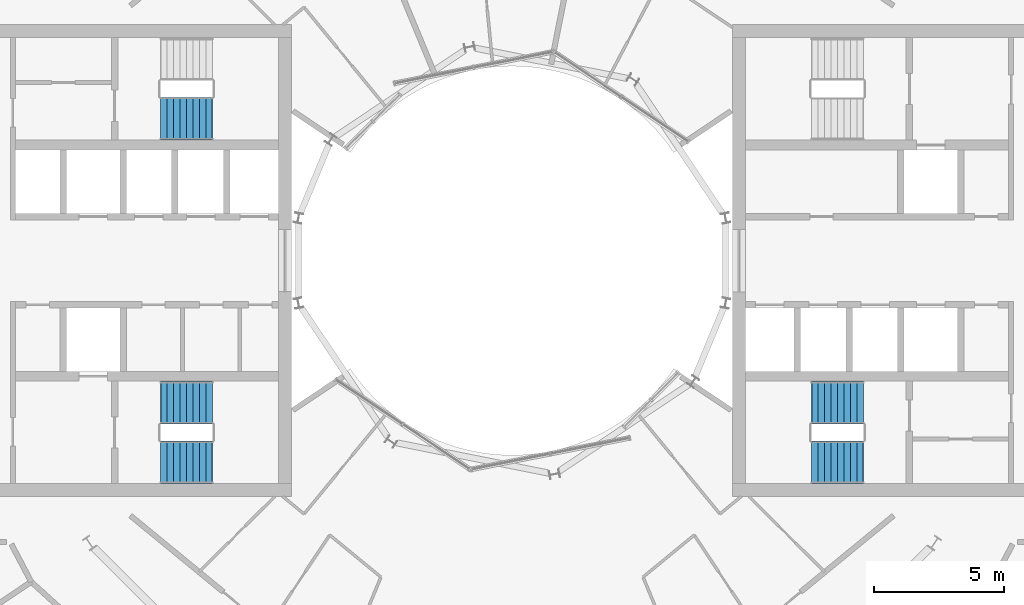
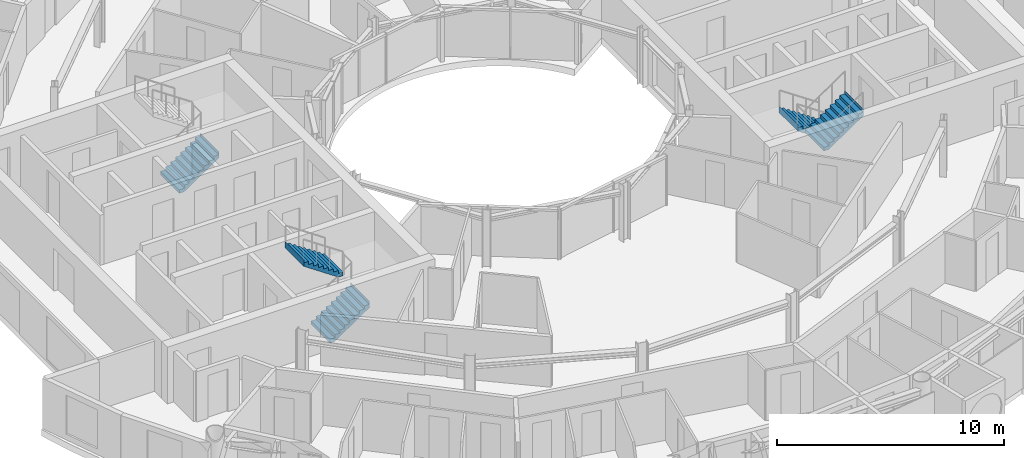
# One storey, part 24 of 27: 5 stair flights, 3 elements without a shape of their own.
"""IFC4 building model written with IfcOpenShell, lengths in metres."""

from ifc_helpers import new_model, si_unit, direction, frame, origin, place, context, subcontext, project, spatial, triangles, material, type_object, element, aggregate, save


model = new_model("IFC4")

# Units and contexts
model_context = context("Model", 3, precision=1e-05, world=origin(), true_north=direction((0.0, 1.0)))
body_context = subcontext(model_context, "Body", "Model", "MODEL_VIEW")
ifc_project = project(units=[si_unit("LENGTHUNIT", "METRE"), si_unit("AREAUNIT", "SQUARE_METRE"), si_unit("VOLUMEUNIT", "CUBIC_METRE"), si_unit("PLANEANGLEUNIT", "RADIAN"), si_unit("MASSUNIT", "GRAM", prefix="KILO")], contexts=[model_context])

# Site, building, storey
site_placement = place(None, origin())
site = spatial("IfcSite", under=ifc_project, at=site_placement, CompositionType="ELEMENT")
building_placement = place(site_placement, origin())
building = spatial("IfcBuilding", under=site, at=building_placement, Name="Maasbend Ring Residences", CompositionType="ELEMENT")
storey_placement = place(building_placement, frame((0.0, 0.0, 145.199951171875)))
storey = spatial("IfcBuildingStorey", under=building, at=storey_placement, Name="L41", CompositionType="ELEMENT", Elevation=145.199951171875)

# Stair, stair flights
ifc_material_1 = material(Name="Concrete C40/50", Category="concrete")
stair_type = type_object("IfcStairType", Name="CORE STAIR 18 RISERS", PredefinedType="HALF_TURN_STAIR", material=ifc_material_1)
stair_1_placement = place(storey_placement, origin())
stair_1 = element("IfcStair", 1, at=stair_1_placement, inside=storey, type_object=stair_type, Name="L41 Exit stair ST-E2", PredefinedType="HALF_TURN_STAIR")
ifc_material_2 = material(Name="Concrete C40/50", Category="concrete")
stair_flight_type = type_object("IfcStairFlightType", Name="CORE STAIR FLIGHT 1650", PredefinedType="STRAIGHT", material=ifc_material_2)
stair_flight_1_placement = place(storey_placement, frame((13.550048828125, -5.47509765625, 0.0), z_axis=(0.0, 0.0, 1.0), x_axis=(-1.0, 0.0, 0.0)))
stair_flight_1 = element("IfcStairFlight", 2, at=stair_flight_1_placement, type_object=stair_flight_type, Name="ST-E2 flight 1", NumberOfRisers=9, NumberOfTreads=8, PredefinedType="STRAIGHT", RiserHeight=0.169444444, TreadLength=0.25, context=body_context, shape_type="Tessellation", body=[
    triangles([(0.24072265625, 0.824951171875, -0.02001953125), (2.0029296875, 0.824951171875, 1.174560546875), (2.0029296875, 0.824951171875, 1.52490234375), (1.989990234375, 0.824951171875, 1.35546875), (1.75, 0.824951171875, 1.35546875), (1.75, 0.824951171875, 1.18603515625), (1.5, 0.824951171875, 1.18603515625), (1.5, 0.824951171875, 1.0166015625), (1.25, 0.824951171875, 1.0166015625), (1.25, 0.824951171875, 0.84716796875), (1.0, 0.824951171875, 0.84716796875), (1.0, 0.824951171875, 0.677734375), (0.75, 0.824951171875, 0.677734375), (0.75, 0.824951171875, 0.50830078125), (0.5, 0.824951171875, 0.50830078125), (0.5, 0.824951171875, 0.3388671875), (0.25, 0.824951171875, 0.3388671875), (0.25, 0.824951171875, 0.16943359375), (0.0, 0.824951171875, 0.16943359375), (0.0, 0.824951171875, 0.0), (-0.0029296875, 0.824951171875, 0.0), (-0.0029296875, 0.824951171875, -0.02001953125), (0.24072265625, 0.27490234375, -0.02001953125), (2.0029296875, 0.27490234375, 1.174560546875), (2.0029296875, 0.27490234375, 1.52490234375), (1.989990234375, 0.27490234375, 1.35546875), (1.75, 0.27490234375, 1.35546875), (1.75, 0.27490234375, 1.18603515625), (1.5, 0.27490234375, 1.18603515625), (1.5, 0.27490234375, 1.0166015625), (1.25, 0.27490234375, 1.0166015625), (1.25, 0.27490234375, 0.84716796875), (1.0, 0.27490234375, 0.84716796875), (1.0, 0.27490234375, 0.677734375), (0.75, 0.27490234375, 0.677734375), (0.75, 0.27490234375, 0.50830078125), (0.5, 0.27490234375, 0.50830078125), (0.5, 0.27490234375, 0.3388671875), (0.25, 0.27490234375, 0.3388671875), (0.25, 0.27490234375, 0.16943359375), (0.0, 0.27490234375, 0.16943359375), (0.0, 0.27490234375, 0.0), (-0.0029296875, 0.27490234375, 0.0), (-0.0029296875, 0.27490234375, -0.02001953125), (0.24072265625, -0.27490234375, -0.02001953125), (2.0029296875, -0.27490234375, 1.174560546875), (2.0029296875, -0.27490234375, 1.52490234375), (1.989990234375, -0.27490234375, 1.35546875), (1.75, -0.27490234375, 1.35546875), (1.75, -0.27490234375, 1.18603515625), (1.5, -0.27490234375, 1.18603515625), (1.5, -0.27490234375, 1.0166015625), (1.25, -0.27490234375, 1.0166015625), (1.25, -0.27490234375, 0.84716796875), (1.0, -0.27490234375, 0.84716796875), (1.0, -0.27490234375, 0.677734375), (0.75, -0.27490234375, 0.677734375), (0.75, -0.27490234375, 0.50830078125), (0.5, -0.27490234375, 0.50830078125), (0.5, -0.27490234375, 0.3388671875), (0.25, -0.27490234375, 0.3388671875), (0.25, -0.27490234375, 0.16943359375), (0.0, -0.27490234375, 0.16943359375), (0.0, -0.27490234375, 0.0), (-0.0029296875, -0.27490234375, 0.0), (-0.0029296875, -0.27490234375, -0.02001953125), (0.24072265625, -0.824951171875, -0.02001953125), (2.0029296875, -0.824951171875, 1.174560546875), (2.0029296875, -0.824951171875, 1.52490234375), (1.989990234375, -0.824951171875, 1.35546875), (1.75, -0.824951171875, 1.35546875), (1.75, -0.824951171875, 1.18603515625), (1.5, -0.824951171875, 1.18603515625), (1.5, -0.824951171875, 1.0166015625), (1.25, -0.824951171875, 1.0166015625), (1.25, -0.824951171875, 0.84716796875), (1.0, -0.824951171875, 0.84716796875), (1.0, -0.824951171875, 0.677734375), (0.75, -0.824951171875, 0.677734375), (0.75, -0.824951171875, 0.50830078125), (0.5, -0.824951171875, 0.50830078125), (0.5, -0.824951171875, 0.3388671875), (0.25, -0.824951171875, 0.3388671875), (0.25, -0.824951171875, 0.16943359375), (0.0, -0.824951171875, 0.16943359375), (0.0, -0.824951171875, 0.0), (-0.0029296875, -0.824951171875, 0.0), (-0.0029296875, -0.824951171875, -0.02001953125)], [[1, 2, 24], [1, 24, 23], [23, 24, 46], [23, 46, 45], [45, 46, 68], [45, 68, 67], [2, 3, 25], [2, 25, 24], [24, 25, 47], [24, 47, 46], [46, 47, 69], [46, 69, 68], [3, 4, 26], [3, 26, 25], [25, 26, 48], [25, 48, 47], [47, 48, 70], [47, 70, 69], [4, 5, 27], [4, 27, 26], [26, 27, 49], [26, 49, 48], [48, 49, 71], [48, 71, 70], [5, 6, 28], [5, 28, 27], [27, 28, 50], [27, 50, 49], [49, 50, 72], [49, 72, 71], [6, 7, 29], [6, 29, 28], [28, 29, 51], [28, 51, 50], [50, 51, 73], [50, 73, 72], [7, 8, 30], [7, 30, 29], [29, 30, 52], [29, 52, 51], [51, 52, 74], [51, 74, 73], [8, 9, 31], [8, 31, 30], [30, 31, 53], [30, 53, 52], [52, 53, 75], [52, 75, 74], [9, 10, 32], [9, 32, 31], [31, 32, 54], [31, 54, 53], [53, 54, 76], [53, 76, 75], [10, 11, 33], [10, 33, 32], [32, 33, 55], [32, 55, 54], [54, 55, 77], [54, 77, 76], [11, 12, 34], [11, 34, 33], [33, 34, 56], [33, 56, 55], [55, 56, 78], [55, 78, 77], [12, 13, 35], [12, 35, 34], [34, 35, 57], [34, 57, 56], [56, 57, 79], [56, 79, 78], [13, 14, 36], [13, 36, 35], [35, 36, 58], [35, 58, 57], [57, 58, 80], [57, 80, 79], [14, 15, 37], [14, 37, 36], [36, 37, 59], [36, 59, 58], [58, 59, 81], [58, 81, 80], [15, 16, 38], [15, 38, 37], [37, 38, 60], [37, 60, 59], [59, 60, 82], [59, 82, 81], [16, 17, 39], [16, 39, 38], [38, 39, 61], [38, 61, 60], [60, 61, 83], [60, 83, 82], [17, 18, 40], [17, 40, 39], [39, 40, 62], [39, 62, 61], [61, 62, 84], [61, 84, 83], [18, 19, 41], [18, 41, 40], [40, 41, 63], [40, 63, 62], [62, 63, 85], [62, 85, 84], [19, 20, 42], [19, 42, 41], [41, 42, 64], [41, 64, 63], [63, 64, 86], [63, 86, 85], [20, 21, 43], [20, 43, 42], [42, 43, 65], [42, 65, 64], [64, 65, 87], [64, 87, 86], [21, 22, 44], [21, 44, 43], [43, 44, 66], [43, 66, 65], [65, 66, 88], [65, 88, 87], [22, 1, 23], [22, 23, 44], [44, 23, 45], [44, 45, 66], [66, 45, 67], [66, 67, 88], [22, 2, 1], [2, 4, 3], [2, 5, 4], [2, 6, 5], [22, 6, 2], [6, 8, 7], [22, 8, 6], [8, 10, 9], [22, 10, 8], [10, 12, 11], [22, 12, 10], [12, 14, 13], [22, 14, 12], [14, 16, 15], [22, 16, 14], [16, 18, 17], [22, 18, 16], [18, 20, 19], [22, 20, 18], [20, 22, 21], [88, 67, 68], [68, 69, 70], [68, 70, 71], [68, 71, 72], [88, 68, 72], [72, 73, 74], [88, 72, 74], [74, 75, 76], [88, 74, 76], [76, 77, 78], [88, 76, 78], [78, 79, 80], [88, 78, 80], [80, 81, 82], [88, 80, 82], [82, 83, 84], [88, 82, 84], [84, 85, 86], [88, 84, 86], [86, 87, 88]], closed=True),
])
stair_flight_2_placement = place(storey_placement, frame((11.550048828125, -7.77490234375, 1.525146484375), z_axis=(0.0, 0.0, 1.0), x_axis=(1.0, 0.0, 0.0)))
stair_flight_2 = element("IfcStairFlight", 3, at=stair_flight_2_placement, type_object=stair_flight_type, Name="ST-E2 flight 2", NumberOfRisers=9, NumberOfTreads=8, PredefinedType="STRAIGHT", RiserHeight=0.169444444, TreadLength=0.25, context=body_context, shape_type="Tessellation", body=[
    triangles([(0.24072265625, 0.824951171875, -0.02001953125), (2.0029296875, 0.824951171875, 1.174560546875), (2.0029296875, 0.824951171875, 1.52490234375), (1.989990234375, 0.824951171875, 1.35546875), (1.75, 0.824951171875, 1.35546875), (1.75, 0.824951171875, 1.18603515625), (1.5, 0.824951171875, 1.18603515625), (1.5, 0.824951171875, 1.0166015625), (1.25, 0.824951171875, 1.0166015625), (1.25, 0.824951171875, 0.84716796875), (1.0, 0.824951171875, 0.84716796875), (1.0, 0.824951171875, 0.677734375), (0.75, 0.824951171875, 0.677734375), (0.75, 0.824951171875, 0.50830078125), (0.5, 0.824951171875, 0.50830078125), (0.5, 0.824951171875, 0.3388671875), (0.25, 0.824951171875, 0.3388671875), (0.25, 0.824951171875, 0.16943359375), (0.0, 0.824951171875, 0.16943359375), (0.0, 0.824951171875, 0.0), (-0.0029296875, 0.824951171875, 0.0), (-0.0029296875, 0.824951171875, -0.02001953125), (0.24072265625, 0.27490234375, -0.02001953125), (2.0029296875, 0.27490234375, 1.174560546875), (2.0029296875, 0.27490234375, 1.52490234375), (1.989990234375, 0.27490234375, 1.35546875), (1.75, 0.27490234375, 1.35546875), (1.75, 0.27490234375, 1.18603515625), (1.5, 0.27490234375, 1.18603515625), (1.5, 0.27490234375, 1.0166015625), (1.25, 0.27490234375, 1.0166015625), (1.25, 0.27490234375, 0.84716796875), (1.0, 0.27490234375, 0.84716796875), (1.0, 0.27490234375, 0.677734375), (0.75, 0.27490234375, 0.677734375), (0.75, 0.27490234375, 0.50830078125), (0.5, 0.27490234375, 0.50830078125), (0.5, 0.27490234375, 0.3388671875), (0.25, 0.27490234375, 0.3388671875), (0.25, 0.27490234375, 0.16943359375), (0.0, 0.27490234375, 0.16943359375), (0.0, 0.27490234375, 0.0), (-0.0029296875, 0.27490234375, 0.0), (-0.0029296875, 0.27490234375, -0.02001953125), (0.24072265625, -0.27490234375, -0.02001953125), (2.0029296875, -0.27490234375, 1.174560546875), (2.0029296875, -0.27490234375, 1.52490234375), (1.989990234375, -0.27490234375, 1.35546875), (1.75, -0.27490234375, 1.35546875), (1.75, -0.27490234375, 1.18603515625), (1.5, -0.27490234375, 1.18603515625), (1.5, -0.27490234375, 1.0166015625), (1.25, -0.27490234375, 1.0166015625), (1.25, -0.27490234375, 0.84716796875), (1.0, -0.27490234375, 0.84716796875), (1.0, -0.27490234375, 0.677734375), (0.75, -0.27490234375, 0.677734375), (0.75, -0.27490234375, 0.50830078125), (0.5, -0.27490234375, 0.50830078125), (0.5, -0.27490234375, 0.3388671875), (0.25, -0.27490234375, 0.3388671875), (0.25, -0.27490234375, 0.16943359375), (0.0, -0.27490234375, 0.16943359375), (0.0, -0.27490234375, 0.0), (-0.0029296875, -0.27490234375, 0.0), (-0.0029296875, -0.27490234375, -0.02001953125), (0.24072265625, -0.824951171875, -0.02001953125), (2.0029296875, -0.824951171875, 1.174560546875), (2.0029296875, -0.824951171875, 1.52490234375), (1.989990234375, -0.824951171875, 1.35546875), (1.75, -0.824951171875, 1.35546875), (1.75, -0.824951171875, 1.18603515625), (1.5, -0.824951171875, 1.18603515625), (1.5, -0.824951171875, 1.0166015625), (1.25, -0.824951171875, 1.0166015625), (1.25, -0.824951171875, 0.84716796875), (1.0, -0.824951171875, 0.84716796875), (1.0, -0.824951171875, 0.677734375), (0.75, -0.824951171875, 0.677734375), (0.75, -0.824951171875, 0.50830078125), (0.5, -0.824951171875, 0.50830078125), (0.5, -0.824951171875, 0.3388671875), (0.25, -0.824951171875, 0.3388671875), (0.25, -0.824951171875, 0.16943359375), (0.0, -0.824951171875, 0.16943359375), (0.0, -0.824951171875, 0.0), (-0.0029296875, -0.824951171875, 0.0), (-0.0029296875, -0.824951171875, -0.02001953125)], [[1, 2, 24], [1, 24, 23], [23, 24, 46], [23, 46, 45], [45, 46, 68], [45, 68, 67], [2, 3, 25], [2, 25, 24], [24, 25, 47], [24, 47, 46], [46, 47, 69], [46, 69, 68], [3, 4, 26], [3, 26, 25], [25, 26, 48], [25, 48, 47], [47, 48, 70], [47, 70, 69], [4, 5, 27], [4, 27, 26], [26, 27, 49], [26, 49, 48], [48, 49, 71], [48, 71, 70], [5, 6, 28], [5, 28, 27], [27, 28, 50], [27, 50, 49], [49, 50, 72], [49, 72, 71], [6, 7, 29], [6, 29, 28], [28, 29, 51], [28, 51, 50], [50, 51, 73], [50, 73, 72], [7, 8, 30], [7, 30, 29], [29, 30, 52], [29, 52, 51], [51, 52, 74], [51, 74, 73], [8, 9, 31], [8, 31, 30], [30, 31, 53], [30, 53, 52], [52, 53, 75], [52, 75, 74], [9, 10, 32], [9, 32, 31], [31, 32, 54], [31, 54, 53], [53, 54, 76], [53, 76, 75], [10, 11, 33], [10, 33, 32], [32, 33, 55], [32, 55, 54], [54, 55, 77], [54, 77, 76], [11, 12, 34], [11, 34, 33], [33, 34, 56], [33, 56, 55], [55, 56, 78], [55, 78, 77], [12, 13, 35], [12, 35, 34], [34, 35, 57], [34, 57, 56], [56, 57, 79], [56, 79, 78], [13, 14, 36], [13, 36, 35], [35, 36, 58], [35, 58, 57], [57, 58, 80], [57, 80, 79], [14, 15, 37], [14, 37, 36], [36, 37, 59], [36, 59, 58], [58, 59, 81], [58, 81, 80], [15, 16, 38], [15, 38, 37], [37, 38, 60], [37, 60, 59], [59, 60, 82], [59, 82, 81], [16, 17, 39], [16, 39, 38], [38, 39, 61], [38, 61, 60], [60, 61, 83], [60, 83, 82], [17, 18, 40], [17, 40, 39], [39, 40, 62], [39, 62, 61], [61, 62, 84], [61, 84, 83], [18, 19, 41], [18, 41, 40], [40, 41, 63], [40, 63, 62], [62, 63, 85], [62, 85, 84], [19, 20, 42], [19, 42, 41], [41, 42, 64], [41, 64, 63], [63, 64, 86], [63, 86, 85], [20, 21, 43], [20, 43, 42], [42, 43, 65], [42, 65, 64], [64, 65, 87], [64, 87, 86], [21, 22, 44], [21, 44, 43], [43, 44, 66], [43, 66, 65], [65, 66, 88], [65, 88, 87], [22, 1, 23], [22, 23, 44], [44, 23, 45], [44, 45, 66], [66, 45, 67], [66, 67, 88], [22, 2, 1], [2, 4, 3], [2, 5, 4], [2, 6, 5], [22, 6, 2], [6, 8, 7], [22, 8, 6], [8, 10, 9], [22, 10, 8], [10, 12, 11], [22, 12, 10], [12, 14, 13], [22, 14, 12], [14, 16, 15], [22, 16, 14], [16, 18, 17], [22, 18, 16], [18, 20, 19], [22, 20, 18], [20, 22, 21], [88, 67, 68], [68, 69, 70], [68, 70, 71], [68, 71, 72], [88, 68, 72], [72, 73, 74], [88, 72, 74], [74, 75, 76], [88, 74, 76], [76, 77, 78], [88, 76, 78], [78, 79, 80], [88, 78, 80], [80, 81, 82], [88, 80, 82], [82, 83, 84], [88, 82, 84], [84, 85, 86], [88, 84, 86], [86, 87, 88]], closed=True),
])
aggregate(stair_1, [stair_flight_1, stair_flight_2])

stair_2_placement = place(storey_placement, origin())
stair_2 = element("IfcStair", 4, at=stair_2_placement, inside=storey, type_object=stair_type, Name="L41 Exit stair ST-W1", PredefinedType="HALF_TURN_STAIR")
stair_flight_3_placement = place(storey_placement, frame((-13.550048828125, -7.77490234375, 0.0), z_axis=(0.0, 0.0, 1.0), x_axis=(1.0, 0.0, 0.0)))
stair_flight_3 = element("IfcStairFlight", 5, at=stair_flight_3_placement, type_object=stair_flight_type, Name="ST-W1 flight 1", NumberOfRisers=9, NumberOfTreads=8, PredefinedType="STRAIGHT", RiserHeight=0.169444444, TreadLength=0.25, context=body_context, shape_type="Tessellation", body=[
    triangles([(0.24072265625, 0.824951171875, -0.02001953125), (2.0029296875, 0.824951171875, 1.174560546875), (2.0029296875, 0.824951171875, 1.52490234375), (1.989990234375, 0.824951171875, 1.35546875), (1.75, 0.824951171875, 1.35546875), (1.75, 0.824951171875, 1.18603515625), (1.5, 0.824951171875, 1.18603515625), (1.5, 0.824951171875, 1.0166015625), (1.25, 0.824951171875, 1.0166015625), (1.25, 0.824951171875, 0.84716796875), (1.0, 0.824951171875, 0.84716796875), (1.0, 0.824951171875, 0.677734375), (0.75, 0.824951171875, 0.677734375), (0.75, 0.824951171875, 0.50830078125), (0.5, 0.824951171875, 0.50830078125), (0.5, 0.824951171875, 0.3388671875), (0.25, 0.824951171875, 0.3388671875), (0.25, 0.824951171875, 0.16943359375), (0.0, 0.824951171875, 0.16943359375), (0.0, 0.824951171875, 0.0), (-0.0029296875, 0.824951171875, 0.0), (-0.0029296875, 0.824951171875, -0.02001953125), (0.24072265625, 0.27490234375, -0.02001953125), (2.0029296875, 0.27490234375, 1.174560546875), (2.0029296875, 0.27490234375, 1.52490234375), (1.989990234375, 0.27490234375, 1.35546875), (1.75, 0.27490234375, 1.35546875), (1.75, 0.27490234375, 1.18603515625), (1.5, 0.27490234375, 1.18603515625), (1.5, 0.27490234375, 1.0166015625), (1.25, 0.27490234375, 1.0166015625), (1.25, 0.27490234375, 0.84716796875), (1.0, 0.27490234375, 0.84716796875), (1.0, 0.27490234375, 0.677734375), (0.75, 0.27490234375, 0.677734375), (0.75, 0.27490234375, 0.50830078125), (0.5, 0.27490234375, 0.50830078125), (0.5, 0.27490234375, 0.3388671875), (0.25, 0.27490234375, 0.3388671875), (0.25, 0.27490234375, 0.16943359375), (0.0, 0.27490234375, 0.16943359375), (0.0, 0.27490234375, 0.0), (-0.0029296875, 0.27490234375, 0.0), (-0.0029296875, 0.27490234375, -0.02001953125), (0.24072265625, -0.27490234375, -0.02001953125), (2.0029296875, -0.27490234375, 1.174560546875), (2.0029296875, -0.27490234375, 1.52490234375), (1.989990234375, -0.27490234375, 1.35546875), (1.75, -0.27490234375, 1.35546875), (1.75, -0.27490234375, 1.18603515625), (1.5, -0.27490234375, 1.18603515625), (1.5, -0.27490234375, 1.0166015625), (1.25, -0.27490234375, 1.0166015625), (1.25, -0.27490234375, 0.84716796875), (1.0, -0.27490234375, 0.84716796875), (1.0, -0.27490234375, 0.677734375), (0.75, -0.27490234375, 0.677734375), (0.75, -0.27490234375, 0.50830078125), (0.5, -0.27490234375, 0.50830078125), (0.5, -0.27490234375, 0.3388671875), (0.25, -0.27490234375, 0.3388671875), (0.25, -0.27490234375, 0.16943359375), (0.0, -0.27490234375, 0.16943359375), (0.0, -0.27490234375, 0.0), (-0.0029296875, -0.27490234375, 0.0), (-0.0029296875, -0.27490234375, -0.02001953125), (0.24072265625, -0.824951171875, -0.02001953125), (2.0029296875, -0.824951171875, 1.174560546875), (2.0029296875, -0.824951171875, 1.52490234375), (1.989990234375, -0.824951171875, 1.35546875), (1.75, -0.824951171875, 1.35546875), (1.75, -0.824951171875, 1.18603515625), (1.5, -0.824951171875, 1.18603515625), (1.5, -0.824951171875, 1.0166015625), (1.25, -0.824951171875, 1.0166015625), (1.25, -0.824951171875, 0.84716796875), (1.0, -0.824951171875, 0.84716796875), (1.0, -0.824951171875, 0.677734375), (0.75, -0.824951171875, 0.677734375), (0.75, -0.824951171875, 0.50830078125), (0.5, -0.824951171875, 0.50830078125), (0.5, -0.824951171875, 0.3388671875), (0.25, -0.824951171875, 0.3388671875), (0.25, -0.824951171875, 0.16943359375), (0.0, -0.824951171875, 0.16943359375), (0.0, -0.824951171875, 0.0), (-0.0029296875, -0.824951171875, 0.0), (-0.0029296875, -0.824951171875, -0.02001953125)], [[1, 2, 24], [1, 24, 23], [23, 24, 46], [23, 46, 45], [45, 46, 68], [45, 68, 67], [2, 3, 25], [2, 25, 24], [24, 25, 47], [24, 47, 46], [46, 47, 69], [46, 69, 68], [3, 4, 26], [3, 26, 25], [25, 26, 48], [25, 48, 47], [47, 48, 70], [47, 70, 69], [4, 5, 27], [4, 27, 26], [26, 27, 49], [26, 49, 48], [48, 49, 71], [48, 71, 70], [5, 6, 28], [5, 28, 27], [27, 28, 50], [27, 50, 49], [49, 50, 72], [49, 72, 71], [6, 7, 29], [6, 29, 28], [28, 29, 51], [28, 51, 50], [50, 51, 73], [50, 73, 72], [7, 8, 30], [7, 30, 29], [29, 30, 52], [29, 52, 51], [51, 52, 74], [51, 74, 73], [8, 9, 31], [8, 31, 30], [30, 31, 53], [30, 53, 52], [52, 53, 75], [52, 75, 74], [9, 10, 32], [9, 32, 31], [31, 32, 54], [31, 54, 53], [53, 54, 76], [53, 76, 75], [10, 11, 33], [10, 33, 32], [32, 33, 55], [32, 55, 54], [54, 55, 77], [54, 77, 76], [11, 12, 34], [11, 34, 33], [33, 34, 56], [33, 56, 55], [55, 56, 78], [55, 78, 77], [12, 13, 35], [12, 35, 34], [34, 35, 57], [34, 57, 56], [56, 57, 79], [56, 79, 78], [13, 14, 36], [13, 36, 35], [35, 36, 58], [35, 58, 57], [57, 58, 80], [57, 80, 79], [14, 15, 37], [14, 37, 36], [36, 37, 59], [36, 59, 58], [58, 59, 81], [58, 81, 80], [15, 16, 38], [15, 38, 37], [37, 38, 60], [37, 60, 59], [59, 60, 82], [59, 82, 81], [16, 17, 39], [16, 39, 38], [38, 39, 61], [38, 61, 60], [60, 61, 83], [60, 83, 82], [17, 18, 40], [17, 40, 39], [39, 40, 62], [39, 62, 61], [61, 62, 84], [61, 84, 83], [18, 19, 41], [18, 41, 40], [40, 41, 63], [40, 63, 62], [62, 63, 85], [62, 85, 84], [19, 20, 42], [19, 42, 41], [41, 42, 64], [41, 64, 63], [63, 64, 86], [63, 86, 85], [20, 21, 43], [20, 43, 42], [42, 43, 65], [42, 65, 64], [64, 65, 87], [64, 87, 86], [21, 22, 44], [21, 44, 43], [43, 44, 66], [43, 66, 65], [65, 66, 88], [65, 88, 87], [22, 1, 23], [22, 23, 44], [44, 23, 45], [44, 45, 66], [66, 45, 67], [66, 67, 88], [22, 2, 1], [2, 4, 3], [2, 5, 4], [2, 6, 5], [22, 6, 2], [6, 8, 7], [22, 8, 6], [8, 10, 9], [22, 10, 8], [10, 12, 11], [22, 12, 10], [12, 14, 13], [22, 14, 12], [14, 16, 15], [22, 16, 14], [16, 18, 17], [22, 18, 16], [18, 20, 19], [22, 20, 18], [20, 22, 21], [88, 67, 68], [68, 69, 70], [68, 70, 71], [68, 71, 72], [88, 68, 72], [72, 73, 74], [88, 72, 74], [74, 75, 76], [88, 74, 76], [76, 77, 78], [88, 76, 78], [78, 79, 80], [88, 78, 80], [80, 81, 82], [88, 80, 82], [82, 83, 84], [88, 82, 84], [84, 85, 86], [88, 84, 86], [86, 87, 88]], closed=True),
])
stair_flight_4_placement = place(storey_placement, frame((-11.550048828125, -5.47509765625, 1.525146484375), z_axis=(0.0, 0.0, 1.0), x_axis=(-1.0, 0.0, 0.0)))
stair_flight_4 = element("IfcStairFlight", 6, at=stair_flight_4_placement, type_object=stair_flight_type, Name="ST-W1 flight 2", NumberOfRisers=9, NumberOfTreads=8, PredefinedType="STRAIGHT", RiserHeight=0.169444444, TreadLength=0.25, context=body_context, shape_type="Tessellation", body=[
    triangles([(0.24072265625, 0.824951171875, -0.02001953125), (2.0029296875, 0.824951171875, 1.174560546875), (2.0029296875, 0.824951171875, 1.52490234375), (1.989990234375, 0.824951171875, 1.35546875), (1.75, 0.824951171875, 1.35546875), (1.75, 0.824951171875, 1.18603515625), (1.5, 0.824951171875, 1.18603515625), (1.5, 0.824951171875, 1.0166015625), (1.25, 0.824951171875, 1.0166015625), (1.25, 0.824951171875, 0.84716796875), (1.0, 0.824951171875, 0.84716796875), (1.0, 0.824951171875, 0.677734375), (0.75, 0.824951171875, 0.677734375), (0.75, 0.824951171875, 0.50830078125), (0.5, 0.824951171875, 0.50830078125), (0.5, 0.824951171875, 0.3388671875), (0.25, 0.824951171875, 0.3388671875), (0.25, 0.824951171875, 0.16943359375), (0.0, 0.824951171875, 0.16943359375), (0.0, 0.824951171875, 0.0), (-0.0029296875, 0.824951171875, 0.0), (-0.0029296875, 0.824951171875, -0.02001953125), (0.24072265625, 0.27490234375, -0.02001953125), (2.0029296875, 0.27490234375, 1.174560546875), (2.0029296875, 0.27490234375, 1.52490234375), (1.989990234375, 0.27490234375, 1.35546875), (1.75, 0.27490234375, 1.35546875), (1.75, 0.27490234375, 1.18603515625), (1.5, 0.27490234375, 1.18603515625), (1.5, 0.27490234375, 1.0166015625), (1.25, 0.27490234375, 1.0166015625), (1.25, 0.27490234375, 0.84716796875), (1.0, 0.27490234375, 0.84716796875), (1.0, 0.27490234375, 0.677734375), (0.75, 0.27490234375, 0.677734375), (0.75, 0.27490234375, 0.50830078125), (0.5, 0.27490234375, 0.50830078125), (0.5, 0.27490234375, 0.3388671875), (0.25, 0.27490234375, 0.3388671875), (0.25, 0.27490234375, 0.16943359375), (0.0, 0.27490234375, 0.16943359375), (0.0, 0.27490234375, 0.0), (-0.0029296875, 0.27490234375, 0.0), (-0.0029296875, 0.27490234375, -0.02001953125), (0.24072265625, -0.27490234375, -0.02001953125), (2.0029296875, -0.27490234375, 1.174560546875), (2.0029296875, -0.27490234375, 1.52490234375), (1.989990234375, -0.27490234375, 1.35546875), (1.75, -0.27490234375, 1.35546875), (1.75, -0.27490234375, 1.18603515625), (1.5, -0.27490234375, 1.18603515625), (1.5, -0.27490234375, 1.0166015625), (1.25, -0.27490234375, 1.0166015625), (1.25, -0.27490234375, 0.84716796875), (1.0, -0.27490234375, 0.84716796875), (1.0, -0.27490234375, 0.677734375), (0.75, -0.27490234375, 0.677734375), (0.75, -0.27490234375, 0.50830078125), (0.5, -0.27490234375, 0.50830078125), (0.5, -0.27490234375, 0.3388671875), (0.25, -0.27490234375, 0.3388671875), (0.25, -0.27490234375, 0.16943359375), (0.0, -0.27490234375, 0.16943359375), (0.0, -0.27490234375, 0.0), (-0.0029296875, -0.27490234375, 0.0), (-0.0029296875, -0.27490234375, -0.02001953125), (0.24072265625, -0.824951171875, -0.02001953125), (2.0029296875, -0.824951171875, 1.174560546875), (2.0029296875, -0.824951171875, 1.52490234375), (1.989990234375, -0.824951171875, 1.35546875), (1.75, -0.824951171875, 1.35546875), (1.75, -0.824951171875, 1.18603515625), (1.5, -0.824951171875, 1.18603515625), (1.5, -0.824951171875, 1.0166015625), (1.25, -0.824951171875, 1.0166015625), (1.25, -0.824951171875, 0.84716796875), (1.0, -0.824951171875, 0.84716796875), (1.0, -0.824951171875, 0.677734375), (0.75, -0.824951171875, 0.677734375), (0.75, -0.824951171875, 0.50830078125), (0.5, -0.824951171875, 0.50830078125), (0.5, -0.824951171875, 0.3388671875), (0.25, -0.824951171875, 0.3388671875), (0.25, -0.824951171875, 0.16943359375), (0.0, -0.824951171875, 0.16943359375), (0.0, -0.824951171875, 0.0), (-0.0029296875, -0.824951171875, 0.0), (-0.0029296875, -0.824951171875, -0.02001953125)], [[1, 2, 24], [1, 24, 23], [23, 24, 46], [23, 46, 45], [45, 46, 68], [45, 68, 67], [2, 3, 25], [2, 25, 24], [24, 25, 47], [24, 47, 46], [46, 47, 69], [46, 69, 68], [3, 4, 26], [3, 26, 25], [25, 26, 48], [25, 48, 47], [47, 48, 70], [47, 70, 69], [4, 5, 27], [4, 27, 26], [26, 27, 49], [26, 49, 48], [48, 49, 71], [48, 71, 70], [5, 6, 28], [5, 28, 27], [27, 28, 50], [27, 50, 49], [49, 50, 72], [49, 72, 71], [6, 7, 29], [6, 29, 28], [28, 29, 51], [28, 51, 50], [50, 51, 73], [50, 73, 72], [7, 8, 30], [7, 30, 29], [29, 30, 52], [29, 52, 51], [51, 52, 74], [51, 74, 73], [8, 9, 31], [8, 31, 30], [30, 31, 53], [30, 53, 52], [52, 53, 75], [52, 75, 74], [9, 10, 32], [9, 32, 31], [31, 32, 54], [31, 54, 53], [53, 54, 76], [53, 76, 75], [10, 11, 33], [10, 33, 32], [32, 33, 55], [32, 55, 54], [54, 55, 77], [54, 77, 76], [11, 12, 34], [11, 34, 33], [33, 34, 56], [33, 56, 55], [55, 56, 78], [55, 78, 77], [12, 13, 35], [12, 35, 34], [34, 35, 57], [34, 57, 56], [56, 57, 79], [56, 79, 78], [13, 14, 36], [13, 36, 35], [35, 36, 58], [35, 58, 57], [57, 58, 80], [57, 80, 79], [14, 15, 37], [14, 37, 36], [36, 37, 59], [36, 59, 58], [58, 59, 81], [58, 81, 80], [15, 16, 38], [15, 38, 37], [37, 38, 60], [37, 60, 59], [59, 60, 82], [59, 82, 81], [16, 17, 39], [16, 39, 38], [38, 39, 61], [38, 61, 60], [60, 61, 83], [60, 83, 82], [17, 18, 40], [17, 40, 39], [39, 40, 62], [39, 62, 61], [61, 62, 84], [61, 84, 83], [18, 19, 41], [18, 41, 40], [40, 41, 63], [40, 63, 62], [62, 63, 85], [62, 85, 84], [19, 20, 42], [19, 42, 41], [41, 42, 64], [41, 64, 63], [63, 64, 86], [63, 86, 85], [20, 21, 43], [20, 43, 42], [42, 43, 65], [42, 65, 64], [64, 65, 87], [64, 87, 86], [21, 22, 44], [21, 44, 43], [43, 44, 66], [43, 66, 65], [65, 66, 88], [65, 88, 87], [22, 1, 23], [22, 23, 44], [44, 23, 45], [44, 45, 66], [66, 45, 67], [66, 67, 88], [22, 2, 1], [2, 4, 3], [2, 5, 4], [2, 6, 5], [22, 6, 2], [6, 8, 7], [22, 8, 6], [8, 10, 9], [22, 10, 8], [10, 12, 11], [22, 12, 10], [12, 14, 13], [22, 14, 12], [14, 16, 15], [22, 16, 14], [16, 18, 17], [22, 18, 16], [18, 20, 19], [22, 20, 18], [20, 22, 21], [88, 67, 68], [68, 69, 70], [68, 70, 71], [68, 71, 72], [88, 68, 72], [72, 73, 74], [88, 72, 74], [74, 75, 76], [88, 74, 76], [76, 77, 78], [88, 76, 78], [78, 79, 80], [88, 78, 80], [80, 81, 82], [88, 80, 82], [82, 83, 84], [88, 82, 84], [84, 85, 86], [88, 84, 86], [86, 87, 88]], closed=True),
])
aggregate(stair_2, [stair_flight_3, stair_flight_4])

# Stair, stair flight
stair_3_placement = place(storey_placement, origin())
stair_3 = element("IfcStair", 7, at=stair_3_placement, inside=storey, type_object=stair_type, Name="L41 Exit stair ST-W2", PredefinedType="HALF_TURN_STAIR")
stair_flight_5_placement = place(storey_placement, frame((-13.550048828125, 5.47509765625, 0.0), z_axis=(0.0, 0.0, 1.0), x_axis=(1.0, 0.0, 0.0)))
stair_flight_5 = element("IfcStairFlight", 8, at=stair_flight_5_placement, type_object=stair_flight_type, Name="ST-W2 flight 1", NumberOfRisers=9, NumberOfTreads=8, PredefinedType="STRAIGHT", RiserHeight=0.169444444, TreadLength=0.25, context=body_context, shape_type="Tessellation", body=[
    triangles([(0.24072265625, 0.824951171875, -0.02001953125), (2.0029296875, 0.824951171875, 1.174560546875), (2.0029296875, 0.824951171875, 1.52490234375), (1.989990234375, 0.824951171875, 1.35546875), (1.75, 0.824951171875, 1.35546875), (1.75, 0.824951171875, 1.18603515625), (1.5, 0.824951171875, 1.18603515625), (1.5, 0.824951171875, 1.0166015625), (1.25, 0.824951171875, 1.0166015625), (1.25, 0.824951171875, 0.84716796875), (1.0, 0.824951171875, 0.84716796875), (1.0, 0.824951171875, 0.677734375), (0.75, 0.824951171875, 0.677734375), (0.75, 0.824951171875, 0.50830078125), (0.5, 0.824951171875, 0.50830078125), (0.5, 0.824951171875, 0.3388671875), (0.25, 0.824951171875, 0.3388671875), (0.25, 0.824951171875, 0.16943359375), (0.0, 0.824951171875, 0.16943359375), (0.0, 0.824951171875, 0.0), (-0.0029296875, 0.824951171875, 0.0), (-0.0029296875, 0.824951171875, -0.02001953125), (0.24072265625, 0.27490234375, -0.02001953125), (2.0029296875, 0.27490234375, 1.174560546875), (2.0029296875, 0.27490234375, 1.52490234375), (1.989990234375, 0.27490234375, 1.35546875), (1.75, 0.27490234375, 1.35546875), (1.75, 0.27490234375, 1.18603515625), (1.5, 0.27490234375, 1.18603515625), (1.5, 0.27490234375, 1.0166015625), (1.25, 0.27490234375, 1.0166015625), (1.25, 0.27490234375, 0.84716796875), (1.0, 0.27490234375, 0.84716796875), (1.0, 0.27490234375, 0.677734375), (0.75, 0.27490234375, 0.677734375), (0.75, 0.27490234375, 0.50830078125), (0.5, 0.27490234375, 0.50830078125), (0.5, 0.27490234375, 0.3388671875), (0.25, 0.27490234375, 0.3388671875), (0.25, 0.27490234375, 0.16943359375), (0.0, 0.27490234375, 0.16943359375), (0.0, 0.27490234375, 0.0), (-0.0029296875, 0.27490234375, 0.0), (-0.0029296875, 0.27490234375, -0.02001953125), (0.24072265625, -0.27490234375, -0.02001953125), (2.0029296875, -0.27490234375, 1.174560546875), (2.0029296875, -0.27490234375, 1.52490234375), (1.989990234375, -0.27490234375, 1.35546875), (1.75, -0.27490234375, 1.35546875), (1.75, -0.27490234375, 1.18603515625), (1.5, -0.27490234375, 1.18603515625), (1.5, -0.27490234375, 1.0166015625), (1.25, -0.27490234375, 1.0166015625), (1.25, -0.27490234375, 0.84716796875), (1.0, -0.27490234375, 0.84716796875), (1.0, -0.27490234375, 0.677734375), (0.75, -0.27490234375, 0.677734375), (0.75, -0.27490234375, 0.50830078125), (0.5, -0.27490234375, 0.50830078125), (0.5, -0.27490234375, 0.3388671875), (0.25, -0.27490234375, 0.3388671875), (0.25, -0.27490234375, 0.16943359375), (0.0, -0.27490234375, 0.16943359375), (0.0, -0.27490234375, 0.0), (-0.0029296875, -0.27490234375, 0.0), (-0.0029296875, -0.27490234375, -0.02001953125), (0.24072265625, -0.824951171875, -0.02001953125), (2.0029296875, -0.824951171875, 1.174560546875), (2.0029296875, -0.824951171875, 1.52490234375), (1.989990234375, -0.824951171875, 1.35546875), (1.75, -0.824951171875, 1.35546875), (1.75, -0.824951171875, 1.18603515625), (1.5, -0.824951171875, 1.18603515625), (1.5, -0.824951171875, 1.0166015625), (1.25, -0.824951171875, 1.0166015625), (1.25, -0.824951171875, 0.84716796875), (1.0, -0.824951171875, 0.84716796875), (1.0, -0.824951171875, 0.677734375), (0.75, -0.824951171875, 0.677734375), (0.75, -0.824951171875, 0.50830078125), (0.5, -0.824951171875, 0.50830078125), (0.5, -0.824951171875, 0.3388671875), (0.25, -0.824951171875, 0.3388671875), (0.25, -0.824951171875, 0.16943359375), (0.0, -0.824951171875, 0.16943359375), (0.0, -0.824951171875, 0.0), (-0.0029296875, -0.824951171875, 0.0), (-0.0029296875, -0.824951171875, -0.02001953125)], [[1, 2, 24], [1, 24, 23], [23, 24, 46], [23, 46, 45], [45, 46, 68], [45, 68, 67], [2, 3, 25], [2, 25, 24], [24, 25, 47], [24, 47, 46], [46, 47, 69], [46, 69, 68], [3, 4, 26], [3, 26, 25], [25, 26, 48], [25, 48, 47], [47, 48, 70], [47, 70, 69], [4, 5, 27], [4, 27, 26], [26, 27, 49], [26, 49, 48], [48, 49, 71], [48, 71, 70], [5, 6, 28], [5, 28, 27], [27, 28, 50], [27, 50, 49], [49, 50, 72], [49, 72, 71], [6, 7, 29], [6, 29, 28], [28, 29, 51], [28, 51, 50], [50, 51, 73], [50, 73, 72], [7, 8, 30], [7, 30, 29], [29, 30, 52], [29, 52, 51], [51, 52, 74], [51, 74, 73], [8, 9, 31], [8, 31, 30], [30, 31, 53], [30, 53, 52], [52, 53, 75], [52, 75, 74], [9, 10, 32], [9, 32, 31], [31, 32, 54], [31, 54, 53], [53, 54, 76], [53, 76, 75], [10, 11, 33], [10, 33, 32], [32, 33, 55], [32, 55, 54], [54, 55, 77], [54, 77, 76], [11, 12, 34], [11, 34, 33], [33, 34, 56], [33, 56, 55], [55, 56, 78], [55, 78, 77], [12, 13, 35], [12, 35, 34], [34, 35, 57], [34, 57, 56], [56, 57, 79], [56, 79, 78], [13, 14, 36], [13, 36, 35], [35, 36, 58], [35, 58, 57], [57, 58, 80], [57, 80, 79], [14, 15, 37], [14, 37, 36], [36, 37, 59], [36, 59, 58], [58, 59, 81], [58, 81, 80], [15, 16, 38], [15, 38, 37], [37, 38, 60], [37, 60, 59], [59, 60, 82], [59, 82, 81], [16, 17, 39], [16, 39, 38], [38, 39, 61], [38, 61, 60], [60, 61, 83], [60, 83, 82], [17, 18, 40], [17, 40, 39], [39, 40, 62], [39, 62, 61], [61, 62, 84], [61, 84, 83], [18, 19, 41], [18, 41, 40], [40, 41, 63], [40, 63, 62], [62, 63, 85], [62, 85, 84], [19, 20, 42], [19, 42, 41], [41, 42, 64], [41, 64, 63], [63, 64, 86], [63, 86, 85], [20, 21, 43], [20, 43, 42], [42, 43, 65], [42, 65, 64], [64, 65, 87], [64, 87, 86], [21, 22, 44], [21, 44, 43], [43, 44, 66], [43, 66, 65], [65, 66, 88], [65, 88, 87], [22, 1, 23], [22, 23, 44], [44, 23, 45], [44, 45, 66], [66, 45, 67], [66, 67, 88], [22, 2, 1], [2, 4, 3], [2, 5, 4], [2, 6, 5], [22, 6, 2], [6, 8, 7], [22, 8, 6], [8, 10, 9], [22, 10, 8], [10, 12, 11], [22, 12, 10], [12, 14, 13], [22, 14, 12], [14, 16, 15], [22, 16, 14], [16, 18, 17], [22, 18, 16], [18, 20, 19], [22, 20, 18], [20, 22, 21], [88, 67, 68], [68, 69, 70], [68, 70, 71], [68, 71, 72], [88, 68, 72], [72, 73, 74], [88, 72, 74], [74, 75, 76], [88, 74, 76], [76, 77, 78], [88, 76, 78], [78, 79, 80], [88, 78, 80], [80, 81, 82], [88, 80, 82], [82, 83, 84], [88, 82, 84], [84, 85, 86], [88, 84, 86], [86, 87, 88]], closed=True),
])
aggregate(stair_3, [stair_flight_5])

save(model, "model.ifc")
